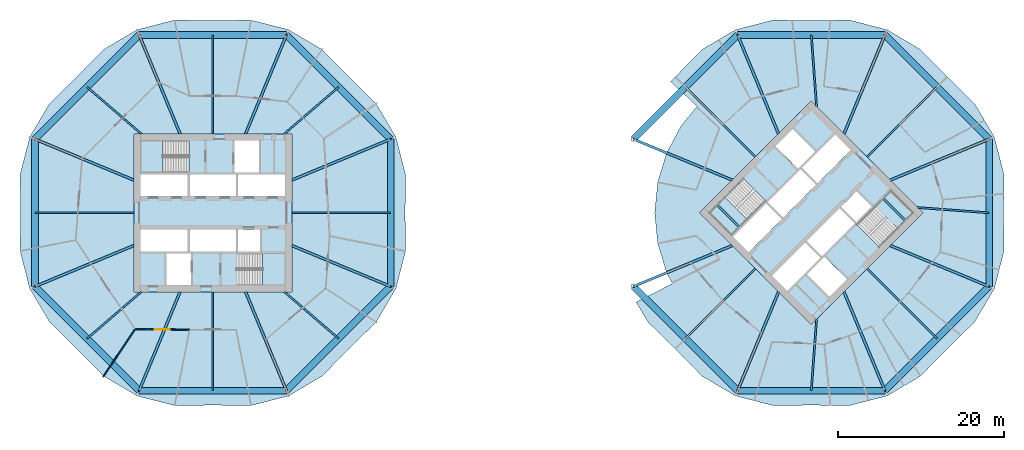
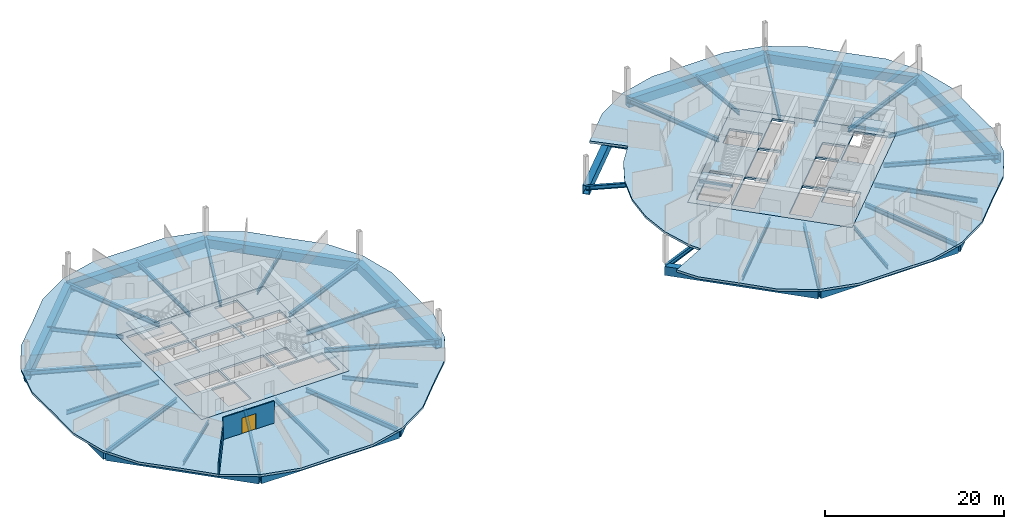
# One storey, part 3 of 9: 48 beams, 8 slabs, 2 walls, 1 door, 1 opening, 4 elements without a shape of their own.
"""IFC4 building model written with IfcOpenShell, lengths in metres."""

from ifc_helpers import new_model, si_unit, direction, frame, frame_2d, origin, origin_2d, place, context, subcontext, project, spatial, polyline, rectangle, hollow_rectangle, i_section, outline, extrude, material, layer, layer_set, material_profile, profile_set, type_object, element, fill, aggregate, save


model = new_model("IFC4")

# Units and contexts
model_context = context("Model", 3, precision=1e-05, world=origin(), true_north=direction((0.0, 1.0)))
body_context = subcontext(model_context, "Body", "Model", "MODEL_VIEW")
ifc_project = project(units=[si_unit("LENGTHUNIT", "METRE"), si_unit("AREAUNIT", "SQUARE_METRE"), si_unit("VOLUMEUNIT", "CUBIC_METRE"), si_unit("PLANEANGLEUNIT", "RADIAN"), si_unit("MASSUNIT", "GRAM", prefix="KILO")], contexts=[model_context])

# Site, building, storey
site_placement = place(None, origin())
site = spatial("IfcSite", under=ifc_project, at=site_placement, CompositionType="ELEMENT")
building_placement = place(site_placement, origin())
building = spatial("IfcBuilding", under=site, at=building_placement, Name="Ogive Gate Towers", CompositionType="ELEMENT")
storey_placement = place(building_placement, frame((0.0, 0.0, 111.300048828125)))
storey = spatial("IfcBuildingStorey", under=building, at=storey_placement, Name="L26", CompositionType="ELEMENT", Elevation=111.300048828125)

# Beams
ifc_material_1 = material(Name="Steel SM460", Category="steel")
ifc_material_profile_1 = material_profile(ifc_material_1, hollow_rectangle(XDim=0.800048828125, YDim=1.199951171875, WallThickness=0.050048828125, at=origin_2d()), Name="BX 1200x800x50")
ifc_profile_set_1 = profile_set([ifc_material_profile_1], Name="Steel SM460")
beam_type_1 = type_object("IfcBeamType", Name="Edge girder BX 1200x800x50", PredefinedType="BEAM", material=ifc_profile_set_1)
beam_1_placement = place(storey_placement, frame((-57.39697265625, -8.863037109375, -0.900146484375), z_axis=(0.707106781187, -0.707106781187, 0.0), x_axis=(0.707106781187, 0.707106781187, 0.0)))
element("IfcBeam", 1, at=beam_1_placement, inside=storey, type_object=beam_type_1, Name="T1/L26/SBM017", PredefinedType="BEAM", context=body_context, shape_type="SweptSolid", body=[
    extrude(hollow_rectangle(XDim=0.800048828125, YDim=1.199951171875, WallThickness=0.050048828125, at=origin_2d()), origin(), (0.0, 0.0, 1.0), 17.7255859375),
])
beam_2_placement = place(storey_placement, frame((-44.863037109375, -21.39697265625, -0.900146484375), z_axis=(1.0, 0.0, 0.0), x_axis=(0.0, 1.0, 0.0)))
element("IfcBeam", 2, at=beam_2_placement, inside=storey, type_object=beam_type_1, Name="T1/L26/SBM018", PredefinedType="BEAM", context=body_context, shape_type="SweptSolid", body=[
    extrude(hollow_rectangle(XDim=0.800048828125, YDim=1.199951171875, WallThickness=0.050048828125, at=origin_2d()), origin(), (0.0, 0.0, 1.0), 17.72607421875),
])
beam_3_placement = place(storey_placement, frame((-27.136962890625, -21.39697265625, -0.900146484375), z_axis=(0.707106781187, 0.707106781187, 0.0), x_axis=(-0.707106781187, 0.707106781187, 0.0)))
element("IfcBeam", 3, at=beam_3_placement, inside=storey, type_object=beam_type_1, Name="T1/L26/SBM019", PredefinedType="BEAM", context=body_context, shape_type="SweptSolid", body=[
    extrude(hollow_rectangle(XDim=0.800048828125, YDim=1.199951171875, WallThickness=0.050048828125, at=origin_2d()), origin(), (0.0, 0.0, 1.0), 17.7255859375),
])
beam_4_placement = place(storey_placement, frame((-14.60302734375, -8.863037109375, -0.900146484375), z_axis=(0.0, 1.0, 0.0), x_axis=(-1.0, 0.0, 0.0)))
element("IfcBeam", 4, at=beam_4_placement, inside=storey, type_object=beam_type_1, Name="T1/L26/SBM020", PredefinedType="BEAM", context=body_context, shape_type="SweptSolid", body=[
    extrude(hollow_rectangle(XDim=0.800048828125, YDim=1.199951171875, WallThickness=0.050048828125, at=origin_2d()), origin(), (0.0, 0.0, 1.0), 17.72607421875),
])
beam_5_placement = place(storey_placement, frame((-14.60302734375, 8.863037109375, -0.900146484375), z_axis=(-0.707106781187, 0.707106781187, 0.0), x_axis=(-0.707106781187, -0.707106781187, 0.0)))
element("IfcBeam", 5, at=beam_5_placement, inside=storey, type_object=beam_type_1, Name="T1/L26/SBM021", PredefinedType="BEAM", context=body_context, shape_type="SweptSolid", body=[
    extrude(hollow_rectangle(XDim=0.800048828125, YDim=1.199951171875, WallThickness=0.050048828125, at=origin_2d()), origin(), (0.0, 0.0, 1.0), 17.7255859375),
])
beam_6_placement = place(storey_placement, frame((-27.136962890625, 21.39697265625, -0.900146484375), z_axis=(-1.0, 0.0, 0.0), x_axis=(0.0, -1.0, 0.0)))
element("IfcBeam", 6, at=beam_6_placement, inside=storey, type_object=beam_type_1, Name="T1/L26/SBM022", PredefinedType="BEAM", context=body_context, shape_type="SweptSolid", body=[
    extrude(hollow_rectangle(XDim=0.800048828125, YDim=1.199951171875, WallThickness=0.050048828125, at=origin_2d()), origin(), (0.0, 0.0, 1.0), 17.72607421875),
])
beam_7_placement = place(storey_placement, frame((-44.863037109375, 21.39697265625, -0.900146484375), z_axis=(-0.707106781187, -0.707106781187, 0.0), x_axis=(0.707106781187, -0.707106781187, 0.0)))
element("IfcBeam", 7, at=beam_7_placement, inside=storey, type_object=beam_type_1, Name="T1/L26/SBM023", PredefinedType="BEAM", context=body_context, shape_type="SweptSolid", body=[
    extrude(hollow_rectangle(XDim=0.800048828125, YDim=1.199951171875, WallThickness=0.050048828125, at=origin_2d()), origin(), (0.0, 0.0, 1.0), 17.7255859375),
])
beam_8_placement = place(storey_placement, frame((-57.39697265625, 8.863037109375, -0.900146484375), z_axis=(0.0, -1.0, 0.0), x_axis=(1.0, 0.0, 0.0)))
element("IfcBeam", 8, at=beam_8_placement, inside=storey, type_object=beam_type_1, Name="T1/L26/SBM024", PredefinedType="BEAM", context=body_context, shape_type="SweptSolid", body=[
    extrude(hollow_rectangle(XDim=0.800048828125, YDim=1.199951171875, WallThickness=0.050048828125, at=origin_2d()), origin(), (0.0, 0.0, 1.0), 17.72607421875),
])
beam_9_placement = place(storey_placement, frame((14.60302734375, -8.863037109375, -0.900146484375), z_axis=(0.707106781187, -0.707106781187, 0.0), x_axis=(0.707106781187, 0.707106781187, 0.0)))
element("IfcBeam", 9, at=beam_9_placement, inside=storey, type_object=beam_type_1, Name="T2/L26/SBM016", PredefinedType="BEAM", context=body_context, shape_type="SweptSolid", body=[
    extrude(hollow_rectangle(XDim=0.800048828125, YDim=1.199951171875, WallThickness=0.050048828125, at=origin_2d()), origin(), (0.0, 0.0, 1.0), 17.7255859375),
])
beam_10_placement = place(storey_placement, frame((27.136962890625, -21.39697265625, -0.900146484375), z_axis=(1.0, 0.0, 0.0), x_axis=(0.0, 1.0, 0.0)))
element("IfcBeam", 10, at=beam_10_placement, inside=storey, type_object=beam_type_1, Name="T2/L26/SBM017", PredefinedType="BEAM", context=body_context, shape_type="SweptSolid", body=[
    extrude(hollow_rectangle(XDim=0.800048828125, YDim=1.199951171875, WallThickness=0.050048828125, at=origin_2d()), origin(), (0.0, 0.0, 1.0), 17.72607421875),
])
beam_11_placement = place(storey_placement, frame((44.863037109375, -21.39697265625, -0.900146484375), z_axis=(0.707106781187, 0.707106781187, 0.0), x_axis=(-0.707106781187, 0.707106781187, 0.0)))
element("IfcBeam", 11, at=beam_11_placement, inside=storey, type_object=beam_type_1, Name="T2/L26/SBM018", PredefinedType="BEAM", context=body_context, shape_type="SweptSolid", body=[
    extrude(hollow_rectangle(XDim=0.800048828125, YDim=1.199951171875, WallThickness=0.050048828125, at=origin_2d()), origin(), (0.0, 0.0, 1.0), 17.7255859375),
])
beam_12_placement = place(storey_placement, frame((57.39697265625, -8.863037109375, -0.900146484375), z_axis=(0.0, 1.0, 0.0), x_axis=(-1.0, 0.0, 0.0)))
element("IfcBeam", 12, at=beam_12_placement, inside=storey, type_object=beam_type_1, Name="T2/L26/SBM019", PredefinedType="BEAM", context=body_context, shape_type="SweptSolid", body=[
    extrude(hollow_rectangle(XDim=0.800048828125, YDim=1.199951171875, WallThickness=0.050048828125, at=origin_2d()), origin(), (0.0, 0.0, 1.0), 17.72607421875),
])
beam_13_placement = place(storey_placement, frame((57.39697265625, 8.863037109375, -0.900146484375), z_axis=(-0.707106781187, 0.707106781187, 0.0), x_axis=(-0.707106781187, -0.707106781187, 0.0)))
element("IfcBeam", 13, at=beam_13_placement, inside=storey, type_object=beam_type_1, Name="T2/L26/SBM020", PredefinedType="BEAM", context=body_context, shape_type="SweptSolid", body=[
    extrude(hollow_rectangle(XDim=0.800048828125, YDim=1.199951171875, WallThickness=0.050048828125, at=origin_2d()), origin(), (0.0, 0.0, 1.0), 17.7255859375),
])
beam_14_placement = place(storey_placement, frame((44.863037109375, 21.39697265625, -0.900146484375), z_axis=(-1.0, 0.0, 0.0), x_axis=(0.0, -1.0, 0.0)))
element("IfcBeam", 14, at=beam_14_placement, inside=storey, type_object=beam_type_1, Name="T2/L26/SBM021", PredefinedType="BEAM", context=body_context, shape_type="SweptSolid", body=[
    extrude(hollow_rectangle(XDim=0.800048828125, YDim=1.199951171875, WallThickness=0.050048828125, at=origin_2d()), origin(), (0.0, 0.0, 1.0), 17.72607421875),
])
beam_15_placement = place(storey_placement, frame((27.136962890625, 21.39697265625, -0.900146484375), z_axis=(-0.707106781187, -0.707106781187, 0.0), x_axis=(0.707106781187, -0.707106781187, 0.0)))
element("IfcBeam", 15, at=beam_15_placement, inside=storey, type_object=beam_type_1, Name="T2/L26/SBM022", PredefinedType="BEAM", context=body_context, shape_type="SweptSolid", body=[
    extrude(hollow_rectangle(XDim=0.800048828125, YDim=1.199951171875, WallThickness=0.050048828125, at=origin_2d()), origin(), (0.0, 0.0, 1.0), 17.7255859375),
])
ifc_material_2 = material(Name="Concrete C40/50", Category="concrete")
ifc_material_profile_2 = material_profile(ifc_material_2, rectangle(XDim=0.25, YDim=0.300048828125, at=origin_2d()), Name="RC 250x300")
ifc_profile_set_2 = profile_set([ifc_material_profile_2], Name="Concrete C40/50")
beam_type_2 = type_object("IfcBeamType", Name="Landing bearer RC 250x300", PredefinedType="BEAM", material=ifc_profile_set_2)
for number, where, z_axis, x_axis, name in (
    (16, (24.650390625, 0.9541015625, 1.599853515625), (0.707106781187, -0.707106781187, 0.0), (0.707106781187, 0.707106781187, 0.0), "T2 L26 stair 1 landing bearer 1"),
    (17, (47.349609375, -0.9541015625, 1.599853515625), (-0.707106781187, 0.707106781187, 0.0), (-0.707106781187, -0.707106781187, 0.0), "T2 L26 stair 2 landing bearer 1"),
):
    element("IfcBeam", number, at=place(storey_placement, frame(where, z_axis=z_axis, x_axis=x_axis)), inside=storey, type_object=beam_type_2, Name=name, PredefinedType="BEAM", context=body_context, shape_type="SweptSolid", body=[
        extrude(rectangle(XDim=0.25, YDim=0.300048828125, at=origin_2d()), origin(), (0.0, 0.0, 1.0), 3.824951171875),
    ])
ifc_material_3 = material(Name="Steel SM355", Category="steel")
ifc_material_profile_3 = material_profile(ifc_material_3, i_section(OverallWidth=0.300048828125, OverallDepth=0.590087890625, WebThickness=0.012939453125, FlangeThickness=0.02490234375, FilletRadius=0.027099609375, at=origin_2d()), Name="HE 600 A")
ifc_profile_set_3 = profile_set([ifc_material_profile_3], Name="Steel SM355")
beam_type_3 = type_object("IfcBeamType", Name="Radial floor beam HE 600 A", PredefinedType="BEAM", material=ifc_profile_set_3)
for number, where, z_axis, x_axis, name in (
    (18, (-45.5, -3.93505859375, -0.594970703125), (-0.923877031545, -0.382689470177, 0.0), (0.382689470177, -0.923877031545, 0.0), "T1/L26/SBM001"),
    (19, (-39.93505859375, -9.5, -0.594970703125), (-0.382689470177, -0.923877031545, 0.0), (0.923877031545, -0.382689470177, 0.0), "T1/L26/SBM003"),
    (20, (-32.06494140625, -9.5, -0.594970703125), (0.382689470177, -0.923877031545, 0.0), (0.923877031545, 0.382689470177, 0.0), "T1/L26/SBM005"),
    (21, (-26.5, -3.93505859375, -0.594970703125), (0.923877031545, -0.382689470177, 0.0), (0.382689470177, 0.923877031545, 0.0), "T1/L26/SBM007"),
    (22, (-26.5, 3.93505859375, -0.594970703125), (0.923877031545, 0.382689470177, 0.0), (-0.382689470177, 0.923877031545, 0.0), "T1/L26/SBM009"),
    (23, (-32.06494140625, 9.5, -0.594970703125), (0.382689470177, 0.923877031545, 0.0), (-0.923877031545, 0.382689470177, 0.0), "T1/L26/SBM011"),
    (24, (-39.93505859375, 9.5, -0.594970703125), (-0.382689470177, 0.923877031545, 0.0), (-0.923877031545, -0.382689470177, 0.0), "T1/L26/SBM013"),
    (25, (-45.5, 3.93505859375, -0.594970703125), (-0.923877031545, 0.382689470177, 0.0), (-0.382689470177, -0.923877031545, 0.0), "T1/L26/SBM015"),
    (26, (26.5, -3.93505859375, -0.594970703125), (-0.923877031545, -0.382689470177, 0.0), (0.382689470177, -0.923877031545, 0.0), "T2/L26/SBM001"),
    (27, (32.06494140625, -9.5, -0.594970703125), (-0.382689470177, -0.923877031545, 0.0), (0.923877031545, -0.382689470177, 0.0), "T2/L26/SBM003"),
    (28, (39.93505859375, -9.5, -0.594970703125), (0.382689470177, -0.923877031545, 0.0), (0.923877031545, 0.382689470177, 0.0), "T2/L26/SBM005"),
    (29, (45.5, -3.93505859375, -0.594970703125), (0.923877031545, -0.382689470177, 0.0), (0.382689470177, 0.923877031545, 0.0), "T2/L26/SBM007"),
    (30, (45.5, 3.93505859375, -0.594970703125), (0.923877031545, 0.382689470177, 0.0), (-0.382689470177, 0.923877031545, 0.0), "T2/L26/SBM009"),
    (31, (39.93505859375, 9.5, -0.594970703125), (0.382689470177, 0.923877031545, 0.0), (-0.923877031545, 0.382689470177, 0.0), "T2/L26/SBM011"),
    (32, (32.06494140625, 9.5, -0.594970703125), (-0.382689470177, 0.923877031545, 0.0), (-0.923877031545, -0.382689470177, 0.0), "T2/L26/SBM013"),
    (33, (26.5, 3.93505859375, -0.594970703125), (-0.923877031545, 0.382689470177, 0.0), (-0.382689470177, -0.923877031545, 0.0), "T2/L26/SBM015"),
):
    element("IfcBeam", number, at=place(storey_placement, frame(where, z_axis=z_axis, x_axis=x_axis)), inside=storey, type_object=beam_type_3, Name=name, PredefinedType="BEAM", context=body_context, shape_type="SweptSolid", body=[
        extrude(i_section(OverallWidth=0.300048828125, OverallDepth=0.590087890625, WebThickness=0.012939453125, FlangeThickness=0.02490234375, FilletRadius=0.027099609375, at=origin_2d()), origin(), (0.0, 0.0, 1.0), 12.877197265625),
    ])
ifc_material_profile_4 = material_profile(ifc_material_3, i_section(OverallWidth=0.2099609375, OverallDepth=0.550048828125, WebThickness=0.010986328125, FlangeThickness=0.01708984375, FilletRadius=0.02392578125, at=origin_2d()), Name="IPE 550")
ifc_profile_set_4 = profile_set([ifc_material_profile_4], Name="Steel SM355")
beam_type_4 = type_object("IfcBeamType", Name="Radial floor beam IPE 550", PredefinedType="BEAM", material=ifc_profile_set_4)
for number, where, z_axis, x_axis, name in (
    (34, (-44.60009765625, -9.5, -0.574951171875), (-0.757366499315, -0.652990034928, 0.0), (0.652990034928, -0.757366499315, 0.0), "T1/L26/SBM002"),
    (35, (-27.39990234375, -9.5, -0.574951171875), (0.757366499315, -0.652990034928, 0.0), (0.652990034928, 0.757366499315, 0.0), "T1/L26/SBM006"),
    (36, (-27.39990234375, 9.5, -0.574951171875), (0.757366499315, 0.652990034928, 0.0), (-0.652990034928, 0.757366499315, 0.0), "T1/L26/SBM010"),
    (37, (-44.60009765625, 9.5, -0.574951171875), (-0.757366499315, 0.652990034928, 0.0), (-0.652990034928, -0.757366499315, 0.0), "T1/L26/SBM014"),
):
    element("IfcBeam", number, at=place(storey_placement, frame(where, z_axis=z_axis, x_axis=x_axis)), inside=storey, type_object=beam_type_4, Name=name, PredefinedType="BEAM", context=body_context, shape_type="SweptSolid", body=[
        extrude(i_section(OverallWidth=0.2099609375, OverallDepth=0.550048828125, WebThickness=0.010986328125, FlangeThickness=0.01708984375, FilletRadius=0.02392578125, at=origin_2d()), origin(), (0.0, 0.0, 1.0), 8.62158203125),
    ])
for number, where, z_axis, x_axis, name in (
    (38, (36.636474609375, -12.798583984375, -0.574951171875), (-0.07382057702, -0.997271538954, 0.0), (0.997271538954, -0.07382057702, 0.0), "T2/L26/SBM004"),
    (39, (48.798583984375, 0.636474609375, -0.574951171875), (0.997271538954, -0.07382057702, 0.0), (0.07382057702, 0.997271538954, 0.0), "T2/L26/SBM008"),
    (40, (36.636474609375, 12.798583984375, -0.574951171875), (-0.07382057702, 0.997271538954, 0.0), (-0.997271538954, -0.07382057702, 0.0), "T2/L26/SBM012"),
):
    element("IfcBeam", number, at=place(storey_placement, frame(where, z_axis=z_axis, x_axis=x_axis)), inside=storey, type_object=beam_type_4, Name=name, PredefinedType="BEAM", context=body_context, shape_type="SweptSolid", body=[
        extrude(i_section(OverallWidth=0.2099609375, OverallDepth=0.550048828125, WebThickness=0.010986328125, FlangeThickness=0.01708984375, FilletRadius=0.02392578125, at=origin_2d()), origin(), (0.0, 0.0, 1.0), 8.621826171875),
    ])
ifc_material_profile_5 = material_profile(ifc_material_3, i_section(OverallWidth=0.219970703125, OverallDepth=0.60009765625, WebThickness=0.011962890625, FlangeThickness=0.01904296875, FilletRadius=0.02392578125, at=origin_2d()), Name="IPE 600")
ifc_profile_set_5 = profile_set([ifc_material_profile_5], Name="Steel SM355")
beam_type_5 = type_object("IfcBeamType", Name="Radial floor beam IPE 600", PredefinedType="BEAM", material=ifc_profile_set_5)
for number, where, z_axis, x_axis, name in (
    (41, (-36.0, -9.5, -0.60009765625), (0.0, -1.0, 0.0), (1.0, 0.0, 0.0), "T1/L26/SBM004"),
    (42, (-26.5, 0.0, -0.60009765625), (1.0, 0.0, 0.0), (0.0, 1.0, 0.0), "T1/L26/SBM008"),
    (43, (-36.0, 9.5, -0.60009765625), (0.0, 1.0, 0.0), (-1.0, 0.0, 0.0), "T1/L26/SBM012"),
    (44, (-45.5, 0.0, -0.60009765625), (-1.0, 0.0, 0.0), (0.0, -1.0, 0.0), "T1/L26/SBM016"),
    (45, (29.282470703125, -6.717529296875, -0.60009765625), (-0.707106781187, -0.707106781187, 0.0), (0.707106781187, -0.707106781187, 0.0), "T2/L26/SBM002"),
    (46, (42.717529296875, -6.717529296875, -0.60009765625), (0.707106781187, -0.707106781187, 0.0), (0.707106781187, 0.707106781187, 0.0), "T2/L26/SBM006"),
    (47, (42.717529296875, 6.717529296875, -0.60009765625), (0.707106781187, 0.707106781187, 0.0), (-0.707106781187, 0.707106781187, 0.0), "T2/L26/SBM010"),
    (48, (29.282470703125, 6.717529296875, -0.60009765625), (-0.707106781187, 0.707106781187, 0.0), (-0.707106781187, -0.707106781187, 0.0), "T2/L26/SBM014"),
):
    element("IfcBeam", number, at=place(storey_placement, frame(where, z_axis=z_axis, x_axis=x_axis)), inside=storey, type_object=beam_type_5, Name=name, PredefinedType="BEAM", context=body_context, shape_type="SweptSolid", body=[
        extrude(i_section(OverallWidth=0.219970703125, OverallDepth=0.60009765625, WebThickness=0.011962890625, FlangeThickness=0.01904296875, FilletRadius=0.02392578125, at=origin_2d()), origin(), (0.0, 0.0, 1.0), 11.89697265625),
    ])

# Slabs
ifc_layer_1 = layer(ifc_material_2, 0.300048828125)
ifc_layer_set_1 = layer_set([ifc_layer_1], Name="Core slab C40/50 300 mm")
slab_type_1 = type_object("IfcSlabType", Name="Core slab C40/50 300 mm", PredefinedType="FLOOR", material=ifc_layer_set_1)
slab_1_placement = place(storey_placement, frame((0.0, 0.0, -0.300048828125)))
element("IfcSlab", 49, at=slab_1_placement, inside=storey, type_object=slab_type_1, Name="T1 L26 core slab", PredefinedType="FLOOR", context=body_context, shape_type="SweptSolid", body=[
    extrude(outline(polyline([(-26.5, 9.5), (-26.5, -9.5), (-45.5, -9.5), (-45.5, 9.5), (-26.5, 9.5)]), holes=[polyline([(-39.02490234375, 4.625), (-44.699951171875, 4.625), (-44.699951171875, 2.0), (-39.02490234375, 2.0), (-39.02490234375, 4.625)]), polyline([(-33.22509765625, 2.0), (-33.22509765625, 4.625), (-38.77490234375, 4.625), (-38.77490234375, 2.0), (-33.22509765625, 2.0)]), polyline([(-32.97509765625, 2.0), (-27.300048828125, 2.0), (-27.300048828125, 4.625), (-32.97509765625, 4.625), (-32.97509765625, 2.0)]), polyline([(-44.699951171875, -2.0), (-44.699951171875, -4.625), (-39.02490234375, -4.625), (-39.02490234375, -2.0), (-44.699951171875, -2.0)]), polyline([(-33.22509765625, -2.0), (-38.77490234375, -2.0), (-38.77490234375, -4.625), (-33.22509765625, -4.625), (-33.22509765625, -2.0)]), polyline([(-30.324951171875, -4.625), (-30.324951171875, -2.0), (-32.97509765625, -2.0), (-32.97509765625, -4.625), (-30.324951171875, -4.625)]), polyline([(-33.375, 4.875), (-30.425048828125, 4.875), (-30.425048828125, 8.699951171875), (-33.375, 8.699951171875), (-33.375, 4.875)]), polyline([(-41.574951171875, -4.875), (-41.574951171875, -8.699951171875), (-38.625, -8.699951171875), (-38.625, -4.875), (-41.574951171875, -4.875)]), polyline([(-44.699951171875, 4.875), (-38.885009765625, 4.875), (-38.885009765625, 8.699951171875), (-44.699951171875, 8.699951171875), (-44.699951171875, 4.875)]), polyline([(-27.300048828125, -8.699951171875), (-27.300048828125, -4.875), (-33.114990234375, -4.875), (-33.114990234375, -8.699951171875), (-27.300048828125, -8.699951171875)])]), origin(), (0.0, 0.0, 1.0), 0.300048828125),
])
slab_2_placement = place(storey_placement, frame((0.0, 0.0, -0.300048828125)))
element("IfcSlab", 50, at=slab_2_placement, inside=storey, type_object=slab_type_1, Name="T2 L26 core slab", PredefinedType="FLOOR", context=body_context, shape_type="SweptSolid", body=[
    extrude(outline(polyline([(36.0, 13.43505859375), (49.43505859375, 0.0), (36.0, -13.43505859375), (22.56494140625, 0.0), (36.0, 13.43505859375)]), holes=[polyline([(30.590576171875, 1.13134765625), (26.577880859375, -2.881591796875), (28.43408203125, -4.737548828125), (32.44677734375, -0.724853515625), (30.590576171875, 1.13134765625)]), polyline([(36.548095703125, 3.37646484375), (34.69189453125, 5.232666015625), (30.767333984375, 1.30810546875), (32.62353515625, -0.548095703125), (36.548095703125, 3.37646484375)]), polyline([(36.724853515625, 3.55322265625), (40.737548828125, 7.56591796875), (38.881591796875, 9.422119140625), (34.86865234375, 5.409423828125), (36.724853515625, 3.55322265625)]), polyline([(31.262451171875, -7.56591796875), (33.118408203125, -9.422119140625), (37.13134765625, -5.409423828125), (35.275146484375, -3.55322265625), (31.262451171875, -7.56591796875)]), polyline([(39.37646484375, 0.548095703125), (35.451904296875, -3.37646484375), (37.30810546875, -5.232666015625), (41.232666015625, -1.30810546875), (39.37646484375, 0.548095703125)]), polyline([(43.283203125, 0.742431640625), (41.427001953125, 2.5986328125), (39.55322265625, 0.724853515625), (41.409423828125, -1.13134765625), (43.283203125, 0.742431640625)]), polyline([(34.408935546875, 5.30322265625), (36.4951171875, 7.389404296875), (33.790283203125, 10.093994140625), (31.704345703125, 8.008056640625), (34.408935546875, 5.30322265625)]), polyline([(35.5048828125, -7.389404296875), (38.209716796875, -10.093994140625), (40.295654296875, -8.008056640625), (37.591064453125, -5.30322265625), (35.5048828125, -7.389404296875)]), polyline([(26.40087890625, -2.70458984375), (30.512939453125, 1.406982421875), (27.80810546875, 4.11181640625), (23.6962890625, 0.0), (26.40087890625, -2.70458984375)]), polyline([(48.3037109375, 0.0), (45.59912109375, 2.70458984375), (41.487060546875, -1.406982421875), (44.19189453125, -4.11181640625), (48.3037109375, 0.0)])]), origin(), (0.0, 0.0, 1.0), 0.300048828125),
])
ifc_material_4 = material(Name="Concrete C35/45", Category="concrete")
ifc_layer_2 = layer(ifc_material_4, 0.300048828125)
ifc_layer_set_2 = layer_set([ifc_layer_2], Name="Floor slab 300")
slab_type_2 = type_object("IfcSlabType", Name="Floor slab 300", PredefinedType="FLOOR", material=ifc_layer_set_2)
slab_3_placement = place(storey_placement, frame((0.0, 0.0, -0.300048828125)))
element("IfcSlab", 51, at=slab_3_placement, inside=storey, type_object=slab_type_2, Name="T1/L26/SSL001", PredefinedType="FLOOR", context=body_context, shape_type="SweptSolid", body=[
    extrude(outline(polyline([(-12.814208984375, -4.61181640625), (-12.860107421875, 0.0), (-12.814208984375, 4.61181640625), (-13.974609375, 9.123291015625), (-16.343994140625, 13.1337890625), (-19.637451171875, 16.362548828125), (-22.8662109375, 19.656005859375), (-26.876708984375, 22.025390625), (-31.38818359375, 23.185791015625), (-36.0, 23.139892578125), (-40.61181640625, 23.185791015625), (-45.123291015625, 22.025390625), (-49.1337890625, 19.656005859375), (-52.362548828125, 16.362548828125), (-55.656005859375, 13.1337890625), (-58.025390625, 9.123291015625), (-59.185791015625, 4.61181640625), (-59.139892578125, 0.0), (-59.185791015625, -4.61181640625), (-58.025390625, -9.123291015625), (-55.656005859375, -13.1337890625), (-52.362548828125, -16.362548828125), (-49.1337890625, -19.656005859375), (-45.123291015625, -22.025390625), (-40.61181640625, -23.185791015625), (-36.0, -23.139892578125), (-31.38818359375, -23.185791015625), (-26.876708984375, -22.025390625), (-22.8662109375, -19.656005859375), (-19.637451171875, -16.362548828125), (-16.343994140625, -13.1337890625), (-13.974609375, -9.123291015625), (-12.814208984375, -4.61181640625)]), holes=[polyline([(-26.5, -9.5), (-45.5, -9.5), (-45.5, 9.5), (-26.5, 9.5), (-26.5, -9.5)])]), origin(), (0.0, 0.0, 1.0), 0.300048828125),
])
slab_4_placement = place(storey_placement, frame((0.0, 0.0, -0.300048828125)))
element("IfcSlab", 52, at=slab_4_placement, inside=storey, type_object=slab_type_2, Name="T2/L26/SSL001", PredefinedType="FLOOR", context=body_context, shape_type="SweptSolid", body=[
    extrude(outline(polyline([(22.8662109375, 19.656005859375), (19.637451171875, 16.362548828125), (19.060302734375, 15.796630859375), (22.26025390625, 12.8125), (20.335205078125, 10.467041015625), (18.593994140625, 7.209716796875), (17.52197265625, 3.675537109375), (17.159912109375, 0.0), (17.52197265625, -3.675537109375), (18.593994140625, -7.209716796875), (19.291015625, -8.513671875), (14.927978515625, -10.73681640625), (13.974609375, -9.123291015625), (16.343994140625, -13.1337890625), (19.637451171875, -16.362548828125), (22.8662109375, -19.656005859375), (26.876708984375, -22.025390625), (31.38818359375, -23.185791015625), (36.0, -23.139892578125), (40.61181640625, -23.185791015625), (45.123291015625, -22.025390625), (49.1337890625, -19.656005859375), (52.362548828125, -16.362548828125), (55.656005859375, -13.1337890625), (58.025390625, -9.123291015625), (59.185791015625, -4.61181640625), (59.139892578125, 0.0), (59.185791015625, 4.61181640625), (58.025390625, 9.123291015625), (55.656005859375, 13.1337890625), (52.362548828125, 16.362548828125), (49.1337890625, 19.656005859375), (45.123291015625, 22.025390625), (40.61181640625, 23.185791015625), (36.0, 23.139892578125), (31.38818359375, 23.185791015625), (26.876708984375, 22.025390625), (22.8662109375, 19.656005859375)]), holes=[polyline([(49.43505859375, 0.0), (36.0, -13.43505859375), (22.56494140625, 0.0), (36.0, 13.43505859375), (49.43505859375, 0.0)])]), origin(), (0.0, 0.0, 1.0), 0.300048828125),
])

# Stair, slab
stair_type = type_object("IfcStairType", Name="Escape stair 1840 wide", PredefinedType="HALF_TURN_STAIR", material=ifc_material_2)
stair_1_placement = place(storey_placement, origin())
stair_1 = element("IfcStair", 53, at=stair_1_placement, inside=storey, type_object=stair_type, Name="L26 Escape stair 1", PredefinedType="HALF_TURN_STAIR")
ifc_layer_3 = layer(ifc_material_2, 0.199951171875)
ifc_layer_set_3 = layer_set([ifc_layer_3], Name="Stair landing 200 mm")
slab_type_3 = type_object("IfcSlabType", Name="Stair landing 200 mm", PredefinedType="LANDING", material=ifc_layer_set_3)
slab_5_placement = place(storey_placement, frame((0.0, 0.0, 1.75)))
slab_5 = element("IfcSlab", 54, at=slab_5_placement, type_object=slab_type_3, Name="ST1 landing 1", PredefinedType="LANDING", context=body_context, shape_type="SweptSolid", body=[
    extrude(outline(polyline([(-42.00146484375, 8.699951171875), (-44.699951171875, 8.699951171875), (-44.699951171875, 4.875), (-42.00146484375, 4.875), (-42.00146484375, 8.699951171875)])), origin(), (0.0, 0.0, 1.0), 0.199951171875),
])
aggregate(stair_1, [slab_5])

stair_2_placement = place(storey_placement, origin())
stair_2 = element("IfcStair", 55, at=stair_2_placement, inside=storey, type_object=stair_type, Name="L26 Escape stair 2", PredefinedType="HALF_TURN_STAIR")
slab_6_placement = place(storey_placement, frame((0.0, 0.0, 1.75)))
slab_6 = element("IfcSlab", 56, at=slab_6_placement, type_object=slab_type_3, Name="ST2 landing 1", PredefinedType="LANDING", context=body_context, shape_type="SweptSolid", body=[
    extrude(outline(polyline([(-29.99853515625, -8.699951171875), (-27.300048828125, -8.699951171875), (-27.300048828125, -4.875), (-29.99853515625, -4.875), (-29.99853515625, -8.699951171875)])), origin(), (0.0, 0.0, 1.0), 0.199951171875),
])
aggregate(stair_2, [slab_6])

stair_3_placement = place(storey_placement, origin())
stair_3 = element("IfcStair", 57, at=stair_3_placement, inside=storey, type_object=stair_type, Name="L26 Escape stair 1", PredefinedType="HALF_TURN_STAIR")
slab_7_placement = place(storey_placement, frame((0.0, 0.0, 1.75)))
slab_7 = element("IfcSlab", 58, at=slab_7_placement, type_object=slab_type_3, Name="ST1 landing 1", PredefinedType="LANDING", context=body_context, shape_type="SweptSolid", body=[
    extrude(outline(polyline([(25.6044921875, 1.908203125), (23.6962890625, 0.0), (26.401123046875, -2.70458984375), (28.309326171875, -0.79638671875), (25.6044921875, 1.908203125)])), origin(), (0.0, 0.0, 1.0), 0.199951171875),
])
aggregate(stair_3, [slab_7])

stair_4_placement = place(storey_placement, origin())
stair_4 = element("IfcStair", 59, at=stair_4_placement, inside=storey, type_object=stair_type, Name="L26 Escape stair 2", PredefinedType="HALF_TURN_STAIR")
slab_8_placement = place(storey_placement, frame((0.0, 0.0, 1.75)))
slab_8 = element("IfcSlab", 60, at=slab_8_placement, type_object=slab_type_3, Name="ST2 landing 1", PredefinedType="LANDING", context=body_context, shape_type="SweptSolid", body=[
    extrude(outline(polyline([(46.3955078125, -1.908203125), (48.3037109375, 0.0), (45.598876953125, 2.70458984375), (43.690673828125, 0.79638671875), (46.3955078125, -1.908203125)])), origin(), (0.0, 0.0, 1.0), 0.199951171875),
])
aggregate(stair_4, [slab_8])

# Wall
ifc_material_5 = material(Name="Gypsum board partition")
ifc_layer_4 = layer(ifc_material_5, 0.125)
ifc_layer_set_4 = layer_set([ifc_layer_4], Name="Partition 125")
wall_type = type_object("IfcWallType", Name="Partition 125", PredefinedType="PARTITIONING", material=ifc_layer_set_4)
wall_1_placement = place(storey_placement, frame((-49.213623046875, -19.761962890625, 0.0), z_axis=(0.0, 0.0, 1.0), x_axis=(0.555813477334, 0.831307030172, 0.0)))
element("IfcWall", 61, at=wall_1_placement, inside=storey, type_object=wall_type, Name="Partition T1-L26-008", PredefinedType="PARTITIONING", context=body_context, shape_type="SweptSolid", body=[
    extrude(rectangle(XDim=6.879638671875, YDim=0.125, at=frame_2d((3.43994140625, 0.0))), origin(), (0.0, 0.0, 1.0), 1.800048828125),
])

# Wall, opening, door
wall_2_placement = place(storey_placement, frame((-45.35498046875, -13.9912109375, 0.0), z_axis=(0.0, 0.0, 1.0), x_axis=(0.999951058045, -0.009893508702, 0.0)))
wall_2 = element("IfcWall", 62, at=wall_2_placement, inside=storey, type_object=wall_type, Name="Partition T1-L26-024", PredefinedType="PARTITIONING", context=body_context, shape_type="SweptSolid", body=[
    extrude(rectangle(XDim=6.56396484375, YDim=0.125, at=frame_2d((3.281982421875, 0.0))), origin(), (0.0, 0.0, 1.0), 3.010009765625),
])
opening_placement = place(wall_2_placement, frame((2.382080078125, 0.0, 0.0)))
opening = element("IfcOpeningElement", 63, at=opening_placement, cuts=wall_2, Name="Opening T1-L26-D11", PredefinedType="OPENING", context=body_context, shape_type="SweptSolid", body=[
    extrude(rectangle(XDim=1.800048828125, YDim=2.10009765625, at=frame_2d((0.89990234375, 1.050048828125))), frame((0.0, 0.072509765625, 0.0), z_axis=(0.0, -1.0, 0.0), x_axis=(1.0, 0.0, 0.0)), (0.0, 0.0, 1.0), 0.14501953125),
])
ifc_material_6 = material(Name="Timber door", Category="wood")
door_type = type_object("IfcDoorType", Name="Door pair 1800", OperationType="NOTDEFINED", PredefinedType="DOOR", material=ifc_material_6)
door_placement = place(opening_placement, origin())
door = element("IfcDoor", 64, at=door_placement, inside=storey, type_object=door_type, Name="Door T1-L26-D11", OperationType="DOUBLE_DOOR_DOUBLE_SWING", OverallHeight=2.10009765625, OverallWidth=1.800048828125, PredefinedType="DOOR", context=body_context, shape_type="SweptSolid", body=[
    extrude(rectangle(XDim=1.800048828125, YDim=2.10009765625, at=frame_2d((0.89990234375, 1.050048828125))), frame((0.0, 0.02490234375, 0.0), z_axis=(0.0, -1.0, 0.0), x_axis=(1.0, 0.0, 0.0)), (0.0, 0.0, 1.0), 0.050048828125),
])
fill(opening, door)

save(model, "model.ifc")
